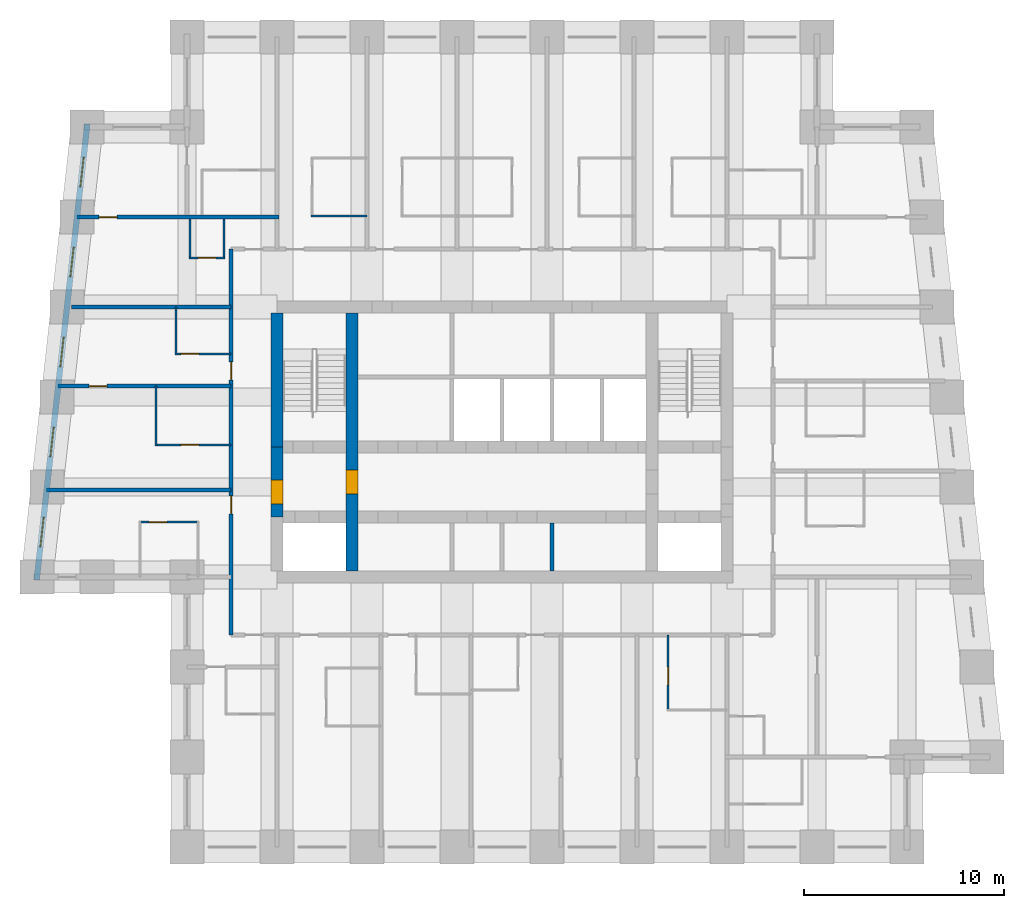
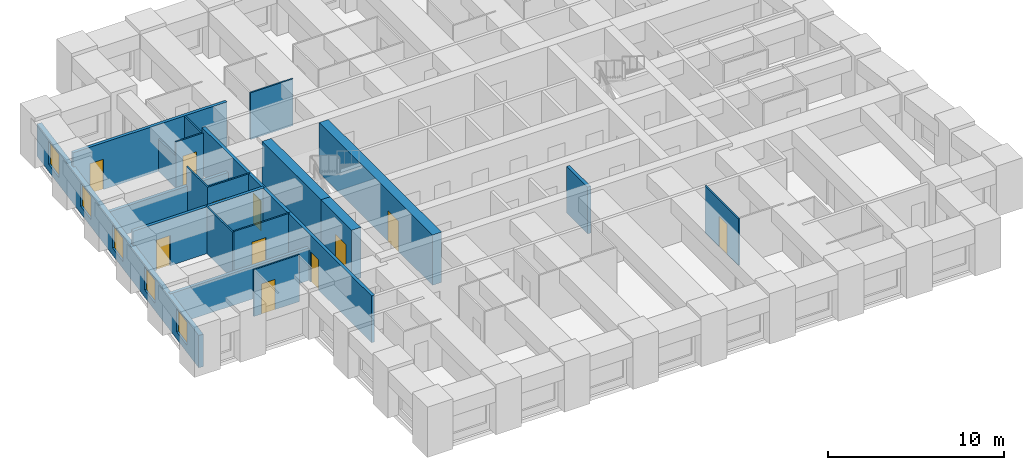
# One storey, part 3 of 8: 20 walls, 11 doors, 5 windows, 16 openings.
"""IFC4 building model written with IfcOpenShell, lengths in metres."""

from ifc_helpers import new_model, si_unit, direction, frame, frame_2d, origin, place, context, subcontext, project, spatial, rectangle, extrude, material, layer, layer_set, type_object, element, fill, save


model = new_model("IFC4")

# Units and contexts
model_context = context("Model", 3, precision=1e-05, world=origin(), true_north=direction((0.0, 1.0)))
body_context = subcontext(model_context, "Body", "Model", "MODEL_VIEW")
ifc_project = project(units=[si_unit("LENGTHUNIT", "METRE"), si_unit("AREAUNIT", "SQUARE_METRE"), si_unit("VOLUMEUNIT", "CUBIC_METRE"), si_unit("PLANEANGLEUNIT", "RADIAN"), si_unit("MASSUNIT", "GRAM", prefix="KILO")], contexts=[model_context])

# Site, building, storey
site_placement = place(None, origin())
site = spatial("IfcSite", under=ifc_project, at=site_placement, CompositionType="ELEMENT")
building_placement = place(site_placement, origin())
building = spatial("IfcBuilding", under=site, at=building_placement, Name="Kilele Tower Hotel", CompositionType="ELEMENT")
storey_placement = place(building_placement, frame((0.0, 0.0, 190.39990234375)))
storey = spatial("IfcBuildingStorey", under=building, at=storey_placement, Name="L49", CompositionType="ELEMENT", Elevation=190.39990234375)

# Wall, opening, door
ifc_material_1 = material(Name="Moisture-resistant board")
ifc_layer_1 = layer(ifc_material_1, 0.10009765625)
ifc_layer_set_1 = layer_set([ifc_layer_1], Name="Moisture-resistant board")
wall_type_1 = type_object("IfcWallType", Name="Bathroom partition 100", PredefinedType="PLUMBINGWALL", material=ifc_layer_set_1)
wall_1_placement = place(storey_placement, frame((33.050048828125, 10.60009765625, 0.0), z_axis=(0.0, 0.0, 1.0), x_axis=(0.0, -1.0, 0.0)))
wall_1 = element("IfcWall", 1, at=wall_1_placement, inside=storey, type_object=wall_type_1, Name="Bathroom partition 100 L49", PredefinedType="PLUMBINGWALL", context=body_context, shape_type="SweptSolid", body=[
    extrude(rectangle(XDim=3.800048828125, YDim=0.10009765625, at=frame_2d((1.89990234375, 0.0))), origin(), (0.0, 0.0, 1.0), 3.25),
])
opening_1_placement = place(wall_1_placement, frame((2.5, 0.0, 0.0), z_axis=(0.0, 0.0, 1.0), x_axis=(-1.0, 0.0, 0.0)))
opening_1 = element("IfcOpeningElement", 2, at=opening_1_placement, cuts=wall_1, Name="Opening D2A", PredefinedType="OPENING", context=body_context, shape_type="SweptSolid", body=[
    extrude(rectangle(XDim=0.89990234375, YDim=2.10009765625, at=frame_2d((0.449951171875, 1.050048828125))), frame((0.0, 0.06005859375, 0.0), z_axis=(0.0, -1.0, 0.0), x_axis=(1.0, 0.0, 0.0)), (0.0, 0.0, 1.0), 0.1201171875),
])
ifc_material_2 = material(Name="Timber door leaf in hardwood frame", Category="wood")
door_type_1 = type_object("IfcDoorType", Name="Bathroom door 900", OperationType="SINGLE_SWING_LEFT", PredefinedType="DOOR", material=ifc_material_2)
door_1_placement = place(opening_1_placement, origin())
door_1 = element("IfcDoor", 3, at=door_1_placement, inside=storey, type_object=door_type_1, Name="Bathroom door 4905B", OperationType="SINGLE_SWING_LEFT", OverallHeight=2.10009765625, OverallWidth=0.89990234375, PredefinedType="DOOR", context=body_context, shape_type="SweptSolid", body=[
    extrude(rectangle(XDim=0.89990234375, YDim=2.10009765625, at=frame_2d((0.449951171875, 1.050048828125))), frame((0.0, 0.02490234375, 0.0), z_axis=(0.0, -1.0, 0.0), x_axis=(1.0, 0.0, 0.0)), (0.0, 0.0, 1.0), 0.050048828125),
])
fill(opening_1, door_1)

# Wall
wall_2_placement = place(storey_placement, frame((15.199951171875, 31.550048828125, 0.0), z_axis=(0.0, 0.0, 1.0), x_axis=(1.0, 0.0, 0.0)))
element("IfcWall", 4, at=wall_2_placement, inside=storey, type_object=wall_type_1, Name="Bathroom partition 100 L49", PredefinedType="PLUMBINGWALL", context=body_context, shape_type="SweptSolid", body=[
    extrude(rectangle(XDim=2.800048828125, YDim=0.10009765625, at=frame_2d((1.39990234375, 0.0))), origin(), (0.0, 0.0, 1.0), 3.25),
])

# Wall, opening, door
wall_3_placement = place(storey_placement, frame((9.60009765625, 16.25, 0.0), z_axis=(0.0, 0.0, 1.0), x_axis=(-1.0, 0.0, 0.0)))
wall_3 = element("IfcWall", 5, at=wall_3_placement, inside=storey, type_object=wall_type_1, Name="Bathroom partition 100 L49", PredefinedType="PLUMBINGWALL", context=body_context, shape_type="SweptSolid", body=[
    extrude(rectangle(XDim=3.0, YDim=0.10009765625, at=frame_2d((1.5, 0.0))), origin(), (0.0, 0.0, 1.0), 3.25),
])
opening_2_placement = place(wall_3_placement, frame((2.5, 0.0, 0.0), z_axis=(0.0, 0.0, 1.0), x_axis=(-1.0, 0.0, 0.0)))
opening_2 = element("IfcOpeningElement", 6, at=opening_2_placement, cuts=wall_3, Name="Opening D2A", PredefinedType="OPENING", context=body_context, shape_type="SweptSolid", body=[
    extrude(rectangle(XDim=0.89990234375, YDim=2.10009765625, at=frame_2d((0.449951171875, 1.050048828125))), frame((0.0, 0.06005859375, 0.0), z_axis=(0.0, -1.0, 0.0), x_axis=(1.0, 0.0, 0.0)), (0.0, 0.0, 1.0), 0.1201171875),
])
door_2_placement = place(opening_2_placement, origin())
door_2 = element("IfcDoor", 7, at=door_2_placement, inside=storey, type_object=door_type_1, Name="Bathroom door 4914B", OperationType="SINGLE_SWING_LEFT", OverallHeight=2.10009765625, OverallWidth=0.89990234375, PredefinedType="DOOR", context=body_context, shape_type="SweptSolid", body=[
    extrude(rectangle(XDim=0.89990234375, YDim=2.10009765625, at=frame_2d((0.449951171875, 1.050048828125))), frame((0.0, 0.02490234375, 0.0), z_axis=(0.0, -1.0, 0.0), x_axis=(1.0, 0.0, 0.0)), (0.0, 0.0, 1.0), 0.050048828125),
])
fill(opening_2, door_2)

# Wall
wall_4_placement = place(storey_placement, frame((7.449951171875, 20.050048828125, 0.0), z_axis=(0.0, 0.0, 1.0), x_axis=(0.0, 1.0, 0.0)))
element("IfcWall", 8, at=wall_4_placement, inside=storey, type_object=wall_type_1, Name="Bathroom partition 100 L49", PredefinedType="PLUMBINGWALL", context=body_context, shape_type="SweptSolid", body=[
    extrude(rectangle(XDim=3.0, YDim=0.10009765625, at=frame_2d((1.5, 0.0))), origin(), (0.0, 0.0, 1.0), 3.25),
])

# Wall, opening, door
wall_5_placement = place(storey_placement, frame((11.199951171875, 20.10009765625, 0.0), z_axis=(0.0, 0.0, 1.0), x_axis=(-1.0, 0.0, 0.0)))
wall_5 = element("IfcWall", 9, at=wall_5_placement, inside=storey, type_object=wall_type_1, Name="Bathroom partition 100 L49", PredefinedType="PLUMBINGWALL", context=body_context, shape_type="SweptSolid", body=[
    extrude(rectangle(XDim=3.800048828125, YDim=0.10009765625, at=frame_2d((1.89990234375, 0.0))), origin(), (0.0, 0.0, 1.0), 3.25),
])
opening_3_placement = place(wall_5_placement, frame((1.60009765625, 0.0, 0.0)))
opening_3 = element("IfcOpeningElement", 10, at=opening_3_placement, cuts=wall_5, Name="Opening D2A", PredefinedType="OPENING", context=body_context, shape_type="SweptSolid", body=[
    extrude(rectangle(XDim=0.89990234375, YDim=2.10009765625, at=frame_2d((0.449951171875, 1.050048828125))), frame((0.0, 0.06005859375, 0.0), z_axis=(0.0, -1.0, 0.0), x_axis=(1.0, 0.0, 0.0)), (0.0, 0.0, 1.0), 0.1201171875),
])
door_3_placement = place(opening_3_placement, origin())
door_3 = element("IfcDoor", 11, at=door_3_placement, inside=storey, type_object=door_type_1, Name="Bathroom door 4915B", OperationType="SINGLE_SWING_RIGHT", OverallHeight=2.10009765625, OverallWidth=0.89990234375, PredefinedType="DOOR", context=body_context, shape_type="SweptSolid", body=[
    extrude(rectangle(XDim=0.89990234375, YDim=2.10009765625, at=frame_2d((0.449951171875, 1.050048828125))), frame((0.0, 0.02490234375, 0.0), z_axis=(0.0, -1.0, 0.0), x_axis=(1.0, 0.0, 0.0)), (0.0, 0.0, 1.0), 0.050048828125),
])
fill(opening_3, door_3)

# Wall
wall_6_placement = place(storey_placement, frame((8.449951171875, 24.60009765625, 0.0), z_axis=(0.0, 0.0, 1.0), x_axis=(0.0, 1.0, 0.0)))
element("IfcWall", 12, at=wall_6_placement, inside=storey, type_object=wall_type_1, Name="Bathroom partition 100 L49", PredefinedType="PLUMBINGWALL", context=body_context, shape_type="SweptSolid", body=[
    extrude(rectangle(XDim=2.39990234375, YDim=0.10009765625, at=frame_2d((1.199951171875, 0.0))), origin(), (0.0, 0.0, 1.0), 3.25),
])

# Wall, opening, door
wall_7_placement = place(storey_placement, frame((11.199951171875, 24.64990234375, 0.0), z_axis=(0.0, 0.0, 1.0), x_axis=(-1.0, 0.0, 0.0)))
wall_7 = element("IfcWall", 13, at=wall_7_placement, inside=storey, type_object=wall_type_1, Name="Bathroom partition 100 L49", PredefinedType="PLUMBINGWALL", context=body_context, shape_type="SweptSolid", body=[
    extrude(rectangle(XDim=2.800048828125, YDim=0.10009765625, at=frame_2d((1.39990234375, 0.0))), origin(), (0.0, 0.0, 1.0), 3.25),
])
opening_4_placement = place(wall_7_placement, frame((1.60009765625, 0.0, 0.0)))
opening_4 = element("IfcOpeningElement", 14, at=opening_4_placement, cuts=wall_7, Name="Opening D2A", PredefinedType="OPENING", context=body_context, shape_type="SweptSolid", body=[
    extrude(rectangle(XDim=0.89990234375, YDim=2.10009765625, at=frame_2d((0.449951171875, 1.050048828125))), frame((0.0, 0.06005859375, 0.0), z_axis=(0.0, -1.0, 0.0), x_axis=(1.0, 0.0, 0.0)), (0.0, 0.0, 1.0), 0.1201171875),
])
door_4_placement = place(opening_4_placement, origin())
door_4 = element("IfcDoor", 15, at=door_4_placement, inside=storey, type_object=door_type_1, Name="Bathroom door 4916B", OperationType="SINGLE_SWING_RIGHT", OverallHeight=2.10009765625, OverallWidth=0.89990234375, PredefinedType="DOOR", context=body_context, shape_type="SweptSolid", body=[
    extrude(rectangle(XDim=0.89990234375, YDim=2.10009765625, at=frame_2d((0.449951171875, 1.050048828125))), frame((0.0, 0.02490234375, 0.0), z_axis=(0.0, -1.0, 0.0), x_axis=(1.0, 0.0, 0.0)), (0.0, 0.0, 1.0), 0.050048828125),
])
fill(opening_4, door_4)

# Walls
wall_8_placement = place(storey_placement, frame((9.14990234375, 31.39990234375, 0.0), z_axis=(0.0, 0.0, 1.0), x_axis=(0.0, -1.0, 0.0)))
element("IfcWall", 16, at=wall_8_placement, inside=storey, type_object=wall_type_1, Name="Bathroom partition 100 L49", PredefinedType="PLUMBINGWALL", context=body_context, shape_type="SweptSolid", body=[
    extrude(rectangle(XDim=2.0, YDim=0.10009765625, at=frame_2d((1.0, 0.0))), origin(), (0.0, 0.0, 1.0), 2.25),
])
wall_9_placement = place(storey_placement, frame((10.85009765625, 31.39990234375, 0.0), z_axis=(0.0, 0.0, 1.0), x_axis=(0.0, -1.0, 0.0)))
element("IfcWall", 17, at=wall_9_placement, inside=storey, type_object=wall_type_1, Name="Bathroom partition 100 L49", PredefinedType="PLUMBINGWALL", context=body_context, shape_type="SweptSolid", body=[
    extrude(rectangle(XDim=2.0, YDim=0.10009765625, at=frame_2d((1.0, 0.0))), origin(), (0.0, 0.0, 1.0), 3.25),
])

# Wall, opening, door
wall_10_placement = place(storey_placement, frame((10.89990234375, 29.449951171875, 0.0), z_axis=(0.0, 0.0, 1.0), x_axis=(-1.0, 0.0, 0.0)))
wall_10 = element("IfcWall", 18, at=wall_10_placement, inside=storey, type_object=wall_type_1, Name="Bathroom partition 100 L49", PredefinedType="PLUMBINGWALL", context=body_context, shape_type="SweptSolid", body=[
    extrude(rectangle(XDim=1.7998046875, YDim=0.10009765625, at=frame_2d((0.89990234375, 0.0))), origin(), (0.0, 0.0, 1.0), 3.25),
])
opening_5_placement = place(wall_10_placement, frame((0.449951171875, 0.0, 0.0)))
opening_5 = element("IfcOpeningElement", 19, at=opening_5_placement, cuts=wall_10, Name="Opening D2A", PredefinedType="OPENING", context=body_context, shape_type="SweptSolid", body=[
    extrude(rectangle(XDim=0.89990234375, YDim=2.10009765625, at=frame_2d((0.449951171875, 1.050048828125))), frame((0.0, 0.06005859375, 0.0), z_axis=(0.0, -1.0, 0.0), x_axis=(1.0, 0.0, 0.0)), (0.0, 0.0, 1.0), 0.1201171875),
])
door_5_placement = place(opening_5_placement, origin())
door_5 = element("IfcDoor", 20, at=door_5_placement, inside=storey, type_object=door_type_1, Name="Bathroom door 4925P", OperationType="SINGLE_SWING_LEFT", OverallHeight=2.10009765625, OverallWidth=0.89990234375, PredefinedType="DOOR", context=body_context, shape_type="SweptSolid", body=[
    extrude(rectangle(XDim=0.89990234375, YDim=2.10009765625, at=frame_2d((0.449951171875, 1.050048828125))), frame((0.0, 0.02490234375, 0.0), z_axis=(0.0, -1.0, 0.0), x_axis=(1.0, 0.0, 0.0)), (0.0, 0.0, 1.0), 0.050048828125),
])
fill(opening_5, door_5)

ifc_material_3 = material(Name="Concrete C70/85", Category="concrete")
ifc_layer_2 = layer(ifc_material_3, 0.60009765625)
ifc_layer_set_2 = layer_set([ifc_layer_2], Name="Concrete C70/85")
wall_type_2 = type_object("IfcWallType", Name="Core wall 600 C70/85", PredefinedType="SHEAR", material=ifc_layer_set_2)
wall_11_placement = place(storey_placement, frame((17.25, 13.800048828125, 0.0), z_axis=(0.0, 0.0, 1.0), x_axis=(0.0, 1.0, 0.0)))
wall_11 = element("IfcWall", 21, at=wall_11_placement, inside=storey, type_object=wall_type_2, Name="Core wall IW L49", PredefinedType="SHEAR", context=body_context, shape_type="SweptSolid", body=[
    extrude(rectangle(XDim=12.89990234375, YDim=0.60009765625, at=frame_2d((6.449951171875, 0.0))), origin(), (0.0, 0.0, 1.0), 3.5),
])
opening_6_placement = place(wall_11_placement, frame((3.85009765625, 0.0, 0.0)))
opening_6 = element("IfcOpeningElement", 22, at=opening_6_placement, cuts=wall_11, Name="Opening D4", PredefinedType="OPENING", context=body_context, shape_type="SweptSolid", body=[
    extrude(rectangle(XDim=1.199951171875, YDim=2.10009765625, at=frame_2d((0.60009765625, 1.050048828125))), frame((0.0, 0.31005859375, 0.0), z_axis=(0.0, -1.0, 0.0), x_axis=(1.0, 0.0, 0.0)), (0.0, 0.0, 1.0), 0.6201171875),
])
ifc_material_4 = material(Name="Timber door leaf in hardwood frame", Category="wood")
door_type_2 = type_object("IfcDoorType", Name="Firefighting lobby door 1200", OperationType="SINGLE_SWING_LEFT", PredefinedType="DOOR", material=ifc_material_4)
door_6_placement = place(opening_6_placement, origin())
door_6 = element("IfcDoor", 23, at=door_6_placement, inside=storey, type_object=door_type_2, Name="Lobby door L49", OperationType="SINGLE_SWING_LEFT", OverallHeight=2.10009765625, OverallWidth=1.199951171875, PredefinedType="DOOR", context=body_context, shape_type="SweptSolid", body=[
    extrude(rectangle(XDim=1.199951171875, YDim=2.10009765625, at=frame_2d((0.60009765625, 1.050048828125))), frame((0.0, 0.2998046875, 0.0), z_axis=(0.0, -1.0, 0.0), x_axis=(1.0, 0.0, 0.0)), (0.0, 0.0, 1.0), 0.599609375),
])
fill(opening_6, door_6)

# Wall
wall_12_placement = place(storey_placement, frame((13.5, 26.699951171875, 0.0), z_axis=(0.0, 0.0, 1.0), x_axis=(0.0, -1.0, 0.0)))
element("IfcWall", 24, at=wall_12_placement, inside=storey, type_object=wall_type_2, Name="Core wall W1 L49", PredefinedType="SHEAR", context=body_context, shape_type="SweptSolid", body=[
    extrude(rectangle(XDim=6.699951171875, YDim=0.60009765625, at=frame_2d((3.35009765625, 0.0))), origin(), (0.0, 0.0, 1.0), 3.5),
])

# Wall, opening, door
wall_13_placement = place(storey_placement, frame((13.5, 20.0, 0.0), z_axis=(0.0, 0.0, 1.0), x_axis=(0.0, -1.0, 0.0)))
wall_13 = element("IfcWall", 25, at=wall_13_placement, inside=storey, type_object=wall_type_2, Name="Core wall W2 L49", PredefinedType="SHEAR", context=body_context, shape_type="SweptSolid", body=[
    extrude(rectangle(XDim=3.5, YDim=0.60009765625, at=frame_2d((1.75, 0.0))), origin(), (0.0, 0.0, 1.0), 3.5),
])
opening_7_placement = place(wall_13_placement, frame((1.64990234375, 0.0, 0.0)))
opening_7 = element("IfcOpeningElement", 26, at=opening_7_placement, cuts=wall_13, Name="Opening D4", PredefinedType="OPENING", context=body_context, shape_type="SweptSolid", body=[
    extrude(rectangle(XDim=1.199951171875, YDim=2.10009765625, at=frame_2d((0.60009765625, 1.050048828125))), frame((0.0, 0.31005859375, 0.0), z_axis=(0.0, -1.0, 0.0), x_axis=(1.0, 0.0, 0.0)), (0.0, 0.0, 1.0), 0.6201171875),
])
door_7_placement = place(opening_7_placement, origin())
door_7 = element("IfcDoor", 27, at=door_7_placement, inside=storey, type_object=door_type_2, Name="Lobby door L49", OperationType="SINGLE_SWING_RIGHT", OverallHeight=2.10009765625, OverallWidth=1.199951171875, PredefinedType="DOOR", context=body_context, shape_type="SweptSolid", body=[
    extrude(rectangle(XDim=1.199951171875, YDim=2.10009765625, at=frame_2d((0.60009765625, 1.050048828125))), frame((0.0, 0.2998046875, 0.0), z_axis=(0.0, -1.0, 0.0), x_axis=(1.0, 0.0, 0.0)), (0.0, 0.0, 1.0), 0.599609375),
])
fill(opening_7, door_7)

# Wall, openings, doors
ifc_material_5 = material(Name="Blockwork, plastered both sides", Category="masonry")
ifc_layer_3 = layer(ifc_material_5, 0.199951171875)
ifc_layer_set_3 = layer_set([ifc_layer_3], Name="Blockwork, plastered both sides")
wall_type_3 = type_object("IfcWallType", Name="Corridor wall 200", PredefinedType="PARTITIONING", material=ifc_layer_set_3)
wall_14_placement = place(storey_placement, frame((11.199951171875, 10.60009765625, 0.0), z_axis=(0.0, 0.0, 1.0), x_axis=(0.0, 1.0, 0.0)))
wall_14 = element("IfcWall", 28, at=wall_14_placement, inside=storey, type_object=wall_type_3, Name="Corridor wall 200 L49", PredefinedType="PARTITIONING", context=body_context, shape_type="SweptSolid", body=[
    extrude(rectangle(XDim=19.2998046875, YDim=0.199951171875, at=frame_2d((9.64990234375, 0.0))), origin(), (0.0, 0.0, 1.0), 3.25),
])
opening_8_placement = place(wall_14_placement, frame((6.050048828125, 0.0, 0.0)))
opening_8 = element("IfcOpeningElement", 29, at=opening_8_placement, cuts=wall_14, Name="Opening D1", PredefinedType="OPENING", context=body_context, shape_type="SweptSolid", body=[
    extrude(rectangle(XDim=0.89990234375, YDim=2.10009765625, at=frame_2d((0.449951171875, 1.050048828125))), frame((0.0, 0.10986328125, 0.0), z_axis=(0.0, -1.0, 0.0), x_axis=(1.0, 0.0, 0.0)), (0.0, 0.0, 1.0), 0.219970703125),
])
opening_9_placement = place(wall_14_placement, frame((12.75, 0.0, 0.0)))
opening_9 = element("IfcOpeningElement", 30, at=opening_9_placement, cuts=wall_14, Name="Opening D1", PredefinedType="OPENING", context=body_context, shape_type="SweptSolid", body=[
    extrude(rectangle(XDim=0.89990234375, YDim=2.10009765625, at=frame_2d((0.449951171875, 1.050048828125))), frame((0.0, 0.10986328125, 0.0), z_axis=(0.0, -1.0, 0.0), x_axis=(1.0, 0.0, 0.0)), (0.0, 0.0, 1.0), 0.219970703125),
])
ifc_material_6 = material(Name="Timber door leaf in hardwood frame", Category="wood")
door_type_3 = type_object("IfcDoorType", Name="Guest room entrance door 900", OperationType="SINGLE_SWING_LEFT", PredefinedType="DOOR", material=ifc_material_6)
door_8_placement = place(opening_8_placement, origin())
door_8 = element("IfcDoor", 31, at=door_8_placement, inside=storey, type_object=door_type_3, Name="Room entrance 4914", OperationType="SINGLE_SWING_RIGHT", OverallHeight=2.10009765625, OverallWidth=0.89990234375, PredefinedType="DOOR", context=body_context, shape_type="SweptSolid", body=[
    extrude(rectangle(XDim=0.89990234375, YDim=2.10009765625, at=frame_2d((0.449951171875, 1.050048828125))), frame((0.0, 0.02490234375, 0.0), z_axis=(0.0, -1.0, 0.0), x_axis=(1.0, 0.0, 0.0)), (0.0, 0.0, 1.0), 0.050048828125),
])
fill(opening_8, door_8)
door_9_placement = place(opening_9_placement, origin())
door_9 = element("IfcDoor", 32, at=door_9_placement, inside=storey, type_object=door_type_3, Name="Room entrance 4916", OperationType="SINGLE_SWING_LEFT", OverallHeight=2.10009765625, OverallWidth=0.89990234375, PredefinedType="DOOR", context=body_context, shape_type="SweptSolid", body=[
    extrude(rectangle(XDim=0.89990234375, YDim=2.10009765625, at=frame_2d((0.449951171875, 1.050048828125))), frame((0.0, 0.02490234375, 0.0), z_axis=(0.0, -1.0, 0.0), x_axis=(1.0, 0.0, 0.0)), (0.0, 0.0, 1.0), 0.050048828125),
])
fill(opening_9, door_9)

# Wall
ifc_material_7 = material(Name="Blockwork, plastered both sides", Category="masonry")
ifc_layer_4 = layer(ifc_material_7, 0.199951171875)
ifc_layer_set_4 = layer_set([ifc_layer_4], Name="Blockwork, plastered both sides")
wall_type_4 = type_object("IfcWallType", Name="Party wall 200", PredefinedType="PARTITIONING", material=ifc_layer_set_4)
wall_15_placement = place(storey_placement, frame((11.199951171875, 17.85009765625, 0.0), z_axis=(0.0, 0.0, 1.0), x_axis=(-1.0, 0.0, 0.0)))
element("IfcWall", 33, at=wall_15_placement, inside=storey, type_object=wall_type_4, Name="Party wall 200 L49", PredefinedType="PARTITIONING", context=body_context, shape_type="SweptSolid", body=[
    extrude(rectangle(XDim=9.215576171875, YDim=0.199951171875, at=frame_2d((4.60791015625, 0.0))), origin(), (0.0, 0.0, 1.0), 2.25),
])

# Wall, opening, door
wall_16_placement = place(storey_placement, frame((11.199951171875, 23.050048828125, 0.0), z_axis=(0.0, 0.0, 1.0), x_axis=(-1.0, 0.0, 0.0)))
wall_16 = element("IfcWall", 34, at=wall_16_placement, inside=storey, type_object=wall_type_4, Name="Party wall 200 L49", PredefinedType="PARTITIONING", context=body_context, shape_type="SweptSolid", body=[
    extrude(rectangle(XDim=8.637939453125, YDim=0.199951171875, at=frame_2d((4.31884765625, 0.0))), origin(), (0.0, 0.0, 1.0), 3.25),
])
opening_10_placement = place(wall_16_placement, frame((7.099853515625, 0.0, 0.0), z_axis=(0.0, 0.0, 1.0), x_axis=(-1.0, 0.0, 0.0)))
opening_10 = element("IfcOpeningElement", 35, at=opening_10_placement, cuts=wall_16, Name="Opening D3", PredefinedType="OPENING", context=body_context, shape_type="SweptSolid", body=[
    extrude(rectangle(XDim=0.89990234375, YDim=2.10009765625, at=frame_2d((0.449951171875, 1.050048828125))), frame((0.0, 0.10986328125, 0.0), z_axis=(0.0, -1.0, 0.0), x_axis=(1.0, 0.0, 0.0)), (0.0, 0.0, 1.0), 0.219970703125),
])
ifc_material_8 = material(Name="Timber door leaf in hardwood frame", Category="wood")
door_type_4 = type_object("IfcDoorType", Name="Suite internal door 900", OperationType="SINGLE_SWING_LEFT", PredefinedType="DOOR", material=ifc_material_8)
door_10_placement = place(opening_10_placement, origin())
door_10 = element("IfcDoor", 36, at=door_10_placement, inside=storey, type_object=door_type_4, Name="Suite door 4916", OperationType="SINGLE_SWING_LEFT", OverallHeight=2.10009765625, OverallWidth=0.89990234375, PredefinedType="DOOR", context=body_context, shape_type="SweptSolid", body=[
    extrude(rectangle(XDim=0.89990234375, YDim=2.10009765625, at=frame_2d((0.449951171875, 1.050048828125))), frame((0.0, 0.02490234375, 0.0), z_axis=(0.0, -1.0, 0.0), x_axis=(1.0, 0.0, 0.0)), (0.0, 0.0, 1.0), 0.050048828125),
])
fill(opening_10, door_10)

# Wall
wall_17_placement = place(storey_placement, frame((11.199951171875, 27.0, 0.0), z_axis=(0.0, 0.0, 1.0), x_axis=(-1.0, 0.0, 0.0)))
element("IfcWall", 37, at=wall_17_placement, inside=storey, type_object=wall_type_4, Name="Party wall 200 L49", PredefinedType="PARTITIONING", context=body_context, shape_type="SweptSolid", body=[
    extrude(rectangle(XDim=7.976806640625, YDim=0.199951171875, at=frame_2d((3.98828125, 0.0))), origin(), (0.0, 0.0, 1.0), 1.9501953125),
])

# Wall, opening, door
wall_18_placement = place(storey_placement, frame((13.60009765625, 31.5, 0.0), z_axis=(0.0, 0.0, 1.0), x_axis=(-1.0, 0.0, 0.0)))
wall_18 = element("IfcWall", 38, at=wall_18_placement, inside=storey, type_object=wall_type_4, Name="Party wall 200 L49", PredefinedType="PARTITIONING", context=body_context, shape_type="SweptSolid", body=[
    extrude(rectangle(XDim=10.09912109375, YDim=0.199951171875, at=frame_2d((5.049560546875, 0.0))), origin(), (0.0, 0.0, 1.0), 3.25),
])
opening_11_placement = place(wall_18_placement, frame((8.9990234375, 0.0, 0.0), z_axis=(0.0, 0.0, 1.0), x_axis=(-1.0, 0.0, 0.0)))
opening_11 = element("IfcOpeningElement", 39, at=opening_11_placement, cuts=wall_18, Name="Opening D3", PredefinedType="OPENING", context=body_context, shape_type="SweptSolid", body=[
    extrude(rectangle(XDim=0.89990234375, YDim=2.10009765625, at=frame_2d((0.449951171875, 1.050048828125))), frame((0.0, 0.10986328125, 0.0), z_axis=(0.0, -1.0, 0.0), x_axis=(1.0, 0.0, 0.0)), (0.0, 0.0, 1.0), 0.219970703125),
])
door_11_placement = place(opening_11_placement, origin())
door_11 = element("IfcDoor", 40, at=door_11_placement, inside=storey, type_object=door_type_4, Name="Suite door 4926", OperationType="SINGLE_SWING_LEFT", OverallHeight=2.10009765625, OverallWidth=0.89990234375, PredefinedType="DOOR", context=body_context, shape_type="SweptSolid", body=[
    extrude(rectangle(XDim=0.89990234375, YDim=2.10009765625, at=frame_2d((0.449951171875, 1.050048828125))), frame((0.0, 0.02490234375, 0.0), z_axis=(0.0, -1.0, 0.0), x_axis=(1.0, 0.0, 0.0)), (0.0, 0.0, 1.0), 0.050048828125),
])
fill(opening_11, door_11)

# Wall, openings, windows
ifc_material_9 = material(Name="Concrete C40/50 precast", Category="concrete")
ifc_layer_5 = layer(ifc_material_9, 0.260009765625, Name="Precast backing", Category="LoadBearing")
ifc_material_10 = material(Name="Reconstituted stone finish", Category="masonry")
ifc_layer_6 = layer(ifc_material_10, 0.0400390625, Name="Face mix", Category="Finish")
ifc_layer_set_5 = layer_set([ifc_layer_5, ifc_layer_6], Name="Precast concrete C40/50, reconstituted stone finish")
wall_type_5 = type_object("IfcWallType", Name="Precast stone facade wall 300", PredefinedType="STANDARD", material=ifc_layer_set_5)
wall_19_placement = place(storey_placement, frame((4.0166015625, 36.149169921875, 0.0), z_axis=(0.0, 0.0, 1.0), x_axis=(-0.110433862387, -0.993883475081, 0.0)))
wall_19 = element("IfcWall", 41, at=wall_19_placement, inside=storey, type_object=wall_type_5, Name="Facade wall L49 edge 12", PredefinedType="STANDARD", context=body_context, shape_type="SweptSolid", body=[
    extrude(rectangle(XDim=22.938720703125, YDim=0.300048828125, at=frame_2d((11.46923828125, 0.0))), origin(), (0.0, 0.0, 1.0), 2.25),
])
opening_12_placement = place(wall_19_placement, frame((1.6640625, 0.0, 0.5)))
opening_12 = element("IfcOpeningElement", 42, at=opening_12_placement, cuts=wall_19, Name="Opening W3", PredefinedType="OPENING", context=body_context, shape_type="SweptSolid", body=[
    extrude(rectangle(XDim=1.5, YDim=1.60009765625, at=frame_2d((0.75, 0.800048828125))), frame((0.0, 0.159912109375, 0.0), z_axis=(0.0, -1.0, 0.0), x_axis=(1.0, 0.0, 0.0)), (0.0, 0.0, 1.0), 0.320068359375),
])
opening_13_placement = place(wall_19_placement, frame((6.19189453125, 0.0, 0.5)))
opening_13 = element("IfcOpeningElement", 43, at=opening_13_placement, cuts=wall_19, Name="Opening W3", PredefinedType="OPENING", context=body_context, shape_type="SweptSolid", body=[
    extrude(rectangle(XDim=1.5, YDim=1.60009765625, at=frame_2d((0.75, 0.800048828125))), frame((0.0, 0.159912109375, 0.0), z_axis=(0.0, -1.0, 0.0), x_axis=(1.0, 0.0, 0.0)), (0.0, 0.0, 1.0), 0.320068359375),
])
opening_14_placement = place(wall_19_placement, frame((10.718994140625, 0.0, 0.5)))
opening_14 = element("IfcOpeningElement", 44, at=opening_14_placement, cuts=wall_19, Name="Opening W3", PredefinedType="OPENING", context=body_context, shape_type="SweptSolid", body=[
    extrude(rectangle(XDim=1.5, YDim=1.60009765625, at=frame_2d((0.75, 0.800048828125))), frame((0.0, 0.159912109375, 0.0), z_axis=(0.0, -1.0, 0.0), x_axis=(1.0, 0.0, 0.0)), (0.0, 0.0, 1.0), 0.320068359375),
])
opening_15_placement = place(wall_19_placement, frame((15.2470703125, 0.0, 0.5)))
opening_15 = element("IfcOpeningElement", 45, at=opening_15_placement, cuts=wall_19, Name="Opening W3", PredefinedType="OPENING", context=body_context, shape_type="SweptSolid", body=[
    extrude(rectangle(XDim=1.5, YDim=1.60009765625, at=frame_2d((0.75, 0.800048828125))), frame((0.0, 0.159912109375, 0.0), z_axis=(0.0, -1.0, 0.0), x_axis=(1.0, 0.0, 0.0)), (0.0, 0.0, 1.0), 0.320068359375),
])
opening_16_placement = place(wall_19_placement, frame((19.77490234375, 0.0, 0.5)))
opening_16 = element("IfcOpeningElement", 46, at=opening_16_placement, cuts=wall_19, Name="Opening W3", PredefinedType="OPENING", context=body_context, shape_type="SweptSolid", body=[
    extrude(rectangle(XDim=1.5, YDim=1.60009765625, at=frame_2d((0.75, 0.800048828125))), frame((0.0, 0.159912109375, 0.0), z_axis=(0.0, -1.0, 0.0), x_axis=(1.0, 0.0, 0.0)), (0.0, 0.0, 1.0), 0.320068359375),
])
ifc_material_11 = material(Name="Aluminium frame, clear double glazing", Category="aluminium")
window_type = type_object("IfcWindowType", Name="Window W3 1500 x 1600", PartitioningType="SINGLE_PANEL", PredefinedType="WINDOW", material=ifc_material_11)
window_1_placement = place(opening_12_placement, origin())
window_1 = element("IfcWindow", 47, at=window_1_placement, inside=storey, type_object=window_type, Name="Window L49", OverallHeight=1.60009765625, OverallWidth=1.5, PartitioningType="SINGLE_PANEL", PredefinedType="WINDOW", context=body_context, shape_type="SweptSolid", body=[
    extrude(rectangle(XDim=1.5, YDim=1.60009765625, at=frame_2d((0.75, 0.800048828125))), frame((0.0, 0.030029296875, 0.0), z_axis=(0.0, -1.0, 0.0), x_axis=(1.0, 0.0, 0.0)), (0.0, 0.0, 1.0), 0.06005859375),
])
fill(opening_12, window_1)
window_2_placement = place(opening_13_placement, origin())
window_2 = element("IfcWindow", 48, at=window_2_placement, inside=storey, type_object=window_type, Name="Window L49", OverallHeight=1.60009765625, OverallWidth=1.5, PartitioningType="SINGLE_PANEL", PredefinedType="WINDOW", context=body_context, shape_type="SweptSolid", body=[
    extrude(rectangle(XDim=1.5, YDim=1.60009765625, at=frame_2d((0.75, 0.800048828125))), frame((0.0, 0.030029296875, 0.0), z_axis=(0.0, -1.0, 0.0), x_axis=(1.0, 0.0, 0.0)), (0.0, 0.0, 1.0), 0.06005859375),
])
fill(opening_13, window_2)
window_3_placement = place(opening_14_placement, origin())
window_3 = element("IfcWindow", 49, at=window_3_placement, inside=storey, type_object=window_type, Name="Window L49", OverallHeight=1.60009765625, OverallWidth=1.5, PartitioningType="SINGLE_PANEL", PredefinedType="WINDOW", context=body_context, shape_type="SweptSolid", body=[
    extrude(rectangle(XDim=1.5, YDim=1.60009765625, at=frame_2d((0.75, 0.800048828125))), frame((0.0, 0.030029296875, 0.0), z_axis=(0.0, -1.0, 0.0), x_axis=(1.0, 0.0, 0.0)), (0.0, 0.0, 1.0), 0.06005859375),
])
fill(opening_14, window_3)
window_4_placement = place(opening_15_placement, origin())
window_4 = element("IfcWindow", 50, at=window_4_placement, inside=storey, type_object=window_type, Name="Window L49", OverallHeight=1.60009765625, OverallWidth=1.5, PartitioningType="SINGLE_PANEL", PredefinedType="WINDOW", context=body_context, shape_type="SweptSolid", body=[
    extrude(rectangle(XDim=1.5, YDim=1.60009765625, at=frame_2d((0.75, 0.800048828125))), frame((0.0, 0.030029296875, 0.0), z_axis=(0.0, -1.0, 0.0), x_axis=(1.0, 0.0, 0.0)), (0.0, 0.0, 1.0), 0.06005859375),
])
fill(opening_15, window_4)
window_5_placement = place(opening_16_placement, origin())
window_5 = element("IfcWindow", 51, at=window_5_placement, inside=storey, type_object=window_type, Name="Window L49", OverallHeight=1.60009765625, OverallWidth=1.5, PartitioningType="SINGLE_PANEL", PredefinedType="WINDOW", context=body_context, shape_type="SweptSolid", body=[
    extrude(rectangle(XDim=1.5, YDim=1.60009765625, at=frame_2d((0.75, 0.800048828125))), frame((0.0, 0.030029296875, 0.0), z_axis=(0.0, -1.0, 0.0), x_axis=(1.0, 0.0, 0.0)), (0.0, 0.0, 1.0), 0.06005859375),
])
fill(opening_16, window_5)

# Wall
ifc_material_12 = material(Name="Blockwork, fire-rated", Category="masonry")
ifc_layer_7 = layer(ifc_material_12, 0.199951171875)
ifc_layer_set_6 = layer_set([ifc_layer_7], Name="Blockwork, fire-rated")
wall_type_6 = type_object("IfcWallType", Name="Shaft wall 200", PredefinedType="PARTITIONING", material=ifc_layer_set_6)
wall_20_placement = place(storey_placement, frame((27.25, 13.800048828125, 0.0), z_axis=(0.0, 0.0, 1.0), x_axis=(0.0, 1.0, 0.0)))
element("IfcWall", 52, at=wall_20_placement, inside=storey, type_object=wall_type_6, Name="Shaft wall 200 L49", PredefinedType="PARTITIONING", context=body_context, shape_type="SweptSolid", body=[
    extrude(rectangle(XDim=2.39990234375, YDim=0.199951171875, at=frame_2d((1.199951171875, 0.0))), origin(), (0.0, 0.0, 1.0), 3.25),
])

save(model, "model.ifc")
